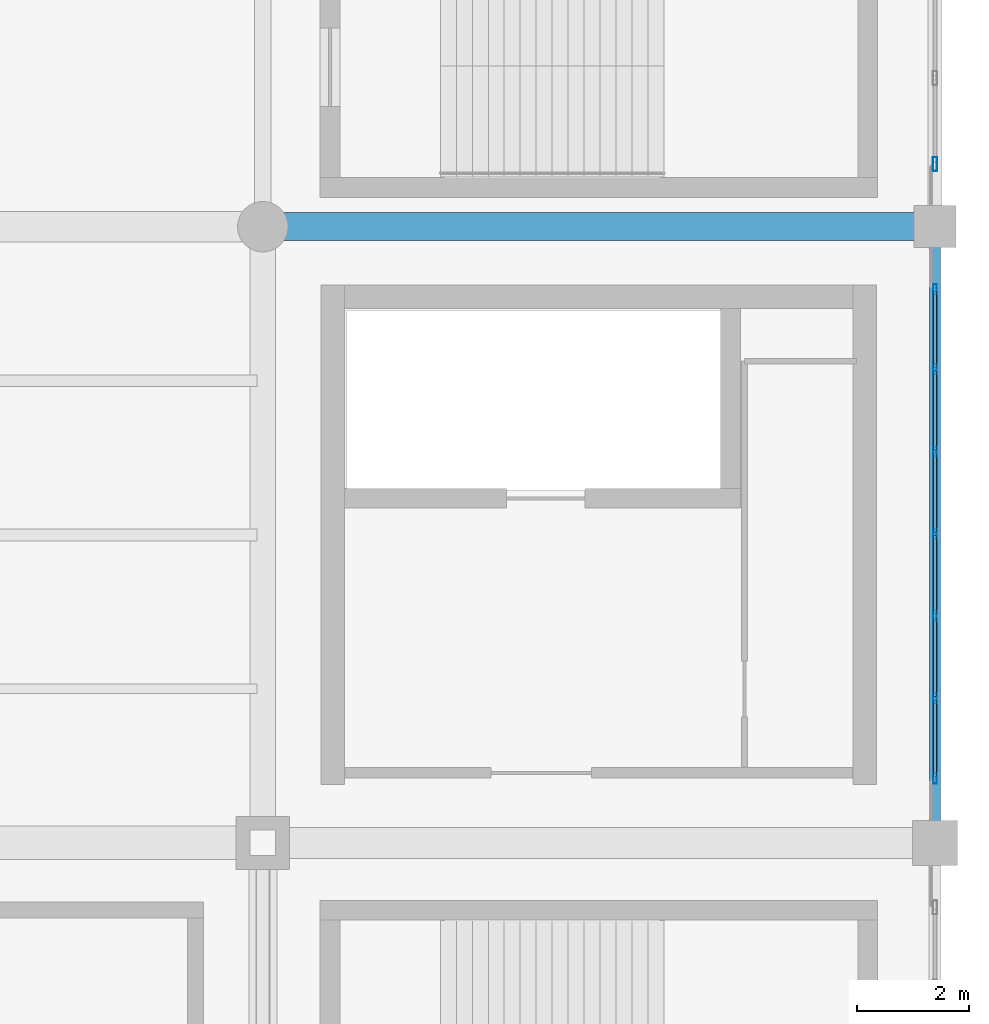
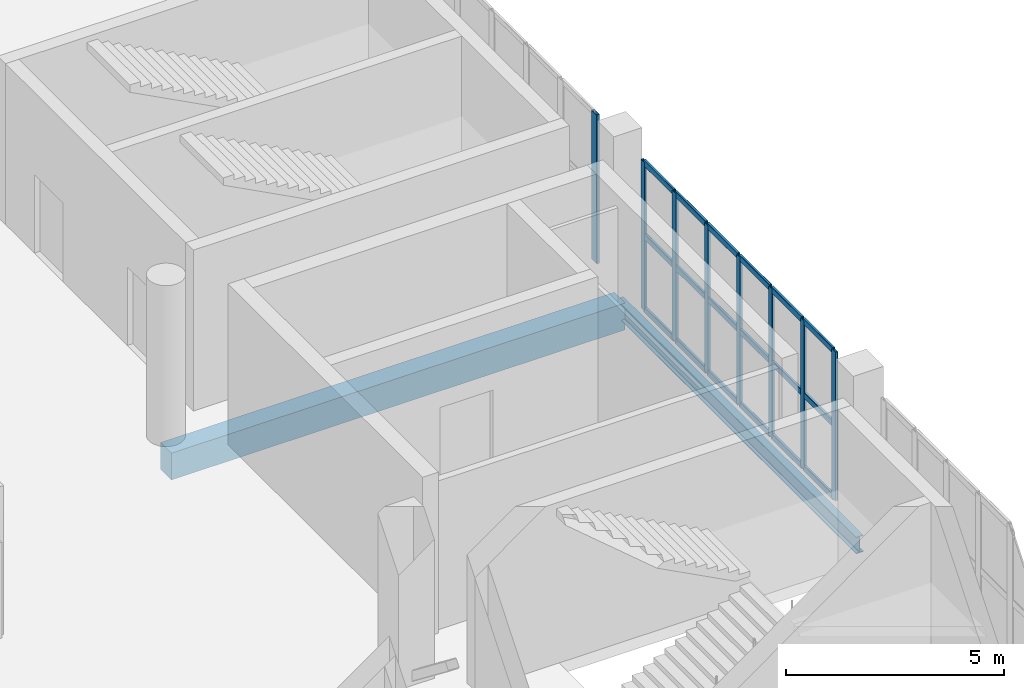
# One storey, part 37 of 90: 26 members, 2 beams, 2 elements without a shape of their own.
"""IFC4 building model written with IfcOpenShell, lengths in metres."""

import ifcopenshell
import ifcopenshell.guid

model = None  # the IFC model being written
_history = None  # IfcOwnerHistory: only IFC2X3 demands one
_inside = {}  # id of a spatial element -> (the spatial element, [elements in it])
_under = {}  # id of a project, library or spatial element -> (it, [spatial elements below it])
_declared = {}  # id of a project -> (the project, [libraries it declares])
_typed = {}  # id of a type object -> (the type object, [elements of that type])
_made_of = {}  # id of a material, layer set ... -> (it, [elements and type objects made of it])


def new_model(schema):
    """Start an empty IFC model of exactly this schema.

    Asked for "IFC4X3", IfcOpenShell would pick the latest addendum, in which some entities
    have other attributes; the version numbers below select the first issue.
    IFC2X3 requires an IfcOwnerHistory on every rooted entity: one is made here for all.
    """
    global model, _history
    if schema == "IFC4X3":
        model = ifcopenshell.file(schema_version=(4, 3, 0, 0))
    else:
        model = ifcopenshell.file(schema=schema)
    _inside.clear()
    _under.clear()
    _declared.clear()
    _typed.clear()
    _made_of.clear()
    _history = None
    if model.schema == "IFC2X3":
        org = make("IfcOrganization", Name="unknown")
        user = make(
            "IfcPersonAndOrganization",
            ThePerson=make("IfcPerson", FamilyName="unknown"),
            TheOrganization=org,
        )
        app = make(
            "IfcApplication",
            ApplicationDeveloper=org,
            Version="unknown",
            ApplicationFullName="unknown",
            ApplicationIdentifier="unknown",
        )
        _history = make(
            "IfcOwnerHistory",
            OwningUser=user,
            OwningApplication=app,
            ChangeAction="ADDED",
            CreationDate=0,
        )
    return model


def make(cls, **values):
    """One entity of the class cls with the attributes given. An attribute that is None is left unset."""
    return model.create_entity(
        cls, **{name: value for name, value in values.items() if value is not None}
    )


def rooted(cls, **values):
    """An entity with a GlobalId (a new one), such as an element, a storey or a relation."""
    return make(cls, GlobalId=ifcopenshell.guid.new(), OwnerHistory=_history, **values)


def si_unit(unit_type, name, prefix=None):
    """IfcSIUnit, for example si_unit("LENGTHUNIT", "METRE", prefix="MILLI")."""
    return make("IfcSIUnit", UnitType=unit_type, Prefix=prefix, Name=name)


def assignment(units):
    """IfcUnitAssignment: the units of a project."""
    return None if units is None else make("IfcUnitAssignment", Units=units)


def point(xyz):
    """IfcCartesianPoint."""
    return None if xyz is None else make("IfcCartesianPoint", Coordinates=xyz)


def direction(xyz):
    """IfcDirection."""
    return None if xyz is None else make("IfcDirection", DirectionRatios=xyz)


def frame(location, z_axis=None, x_axis=None):
    """IfcAxis2Placement3D, a coordinate frame: its origin and axes. An axis left out is left unset."""
    return make(
        "IfcAxis2Placement3D",
        Location=point(location),
        Axis=direction(z_axis),
        RefDirection=direction(x_axis),
    )


def frame_2d(location, x_axis=None):
    """IfcAxis2Placement2D, a coordinate frame in the plane: its origin and x axis."""
    return make(
        "IfcAxis2Placement2D", Location=point(location), RefDirection=direction(x_axis)
    )


def origin():
    """The frame at (0, 0, 0) with its axes left unset."""
    return frame((0.0, 0.0, 0.0))


def origin_2d():
    """The frame at (0, 0) in the plane with its x axis left unset."""
    return frame_2d((0.0, 0.0))


def place(relative_to, where):
    """IfcLocalPlacement: puts the frame where relative to a parent placement (None: the world)."""
    return make(
        "IfcLocalPlacement", PlacementRelTo=relative_to, RelativePlacement=where
    )


def context(
    kind, dimensions, precision=None, world=None, true_north=None, identifier=None
):
    """IfcGeometricRepresentationContext, for example the 3D "Model" context."""
    return make(
        "IfcGeometricRepresentationContext",
        ContextIdentifier=identifier,
        ContextType=kind,
        CoordinateSpaceDimension=dimensions,
        Precision=precision,
        WorldCoordinateSystem=world,
        TrueNorth=true_north,
    )


def subcontext(parent, identifier, kind, view, scale=None):
    """IfcGeometricRepresentationSubContext, for example "Body" below "Model"."""
    return make(
        "IfcGeometricRepresentationSubContext",
        ContextIdentifier=identifier,
        ContextType=kind,
        ParentContext=parent,
        TargetScale=scale,
        TargetView=view,
    )


def project(units=None, contexts=None):
    """IfcProject with its units and contexts."""
    return rooted(
        "IfcProject",
        Name="project",
        RepresentationContexts=contexts,
        UnitsInContext=assignment(units),
    )


def spatial(cls, under=None, at=None, **own):
    """A site, building, storey or space (cls), placed at a placement, below another one or the project."""
    s = rooted(cls, ObjectPlacement=at, **own)
    if under is not None:
        _under.setdefault(under.id(), (under, []))[1].append(s)
    return s


def profile(cls, at=None, kind="AREA", **sizes):
    """A parametric profile (cls). Its sizes go by their IFC names, for example OverallWidth=200.0."""
    return make(cls, ProfileType=kind, Position=at, **sizes)


def rectangle(**sizes):
    """IfcRectangleProfileDef."""
    return profile("IfcRectangleProfileDef", **sizes)


def hollow_rectangle(**sizes):
    """IfcRectangleHollowProfileDef."""
    return profile("IfcRectangleHollowProfileDef", **sizes)


def i_section(**sizes):
    """IfcIShapeProfileDef."""
    return profile("IfcIShapeProfileDef", **sizes)


def extrude(swept, where, along, depth):
    """IfcExtrudedAreaSolid: the profile swept, set in the frame where, extruded along a direction by depth."""
    return make(
        "IfcExtrudedAreaSolid",
        SweptArea=swept,
        Position=where,
        ExtrudedDirection=direction(along),
        Depth=depth,
    )


def shape(context_of_items, identifier, shape_type, items):
    """IfcShapeRepresentation: the items that make up one representation, for example the "Body"."""
    return make(
        "IfcShapeRepresentation",
        ContextOfItems=context_of_items,
        RepresentationIdentifier=identifier,
        RepresentationType=shape_type,
        Items=items,
    )


def material(Name=None, Category=None):
    """IfcMaterial."""
    return make("IfcMaterial", Name=Name, Category=Category)


def layer(
    of_material, thickness, ventilated=None, Name=None, Category=None, Priority=None
):
    """IfcMaterialLayer: one layer of a wall or slab, of a material (None: an air gap)."""
    return make(
        "IfcMaterialLayer",
        Material=of_material,
        LayerThickness=thickness,
        IsVentilated=ventilated,
        Name=Name,
        Category=Category,
        Priority=Priority,
    )


def layer_set(layers, Name=None):
    """IfcMaterialLayerSet."""
    return make("IfcMaterialLayerSet", MaterialLayers=layers, LayerSetName=Name)


def material_profile(
    of_material, cross_section, Name=None, Category=None, Priority=None
):
    """IfcMaterialProfile: a cross section and its material."""
    return make(
        "IfcMaterialProfile",
        Name=Name,
        Material=of_material,
        Profile=cross_section,
        Priority=Priority,
        Category=Category,
    )


def profile_set(profiles, Name=None, composite=None):
    """IfcMaterialProfileSet."""
    return make(
        "IfcMaterialProfileSet",
        Name=Name,
        MaterialProfiles=profiles,
        CompositeProfile=composite,
    )


def made_of(thing, what):
    """Note that an element or type object is made of a material, layer set ...; save() writes the relation."""
    if what is not None:
        _made_of.setdefault(what.id(), (what, []))[1].append(thing)
    return thing


def type_object(cls, material=None, **own):
    """A type object (cls), such as IfcWallType, which elements share."""
    return made_of(rooted(cls, **own), material)


def element(
    cls,
    number,
    at=None,
    inside=None,
    cuts=None,
    type_object=None,
    material=None,
    context=None,
    identifier="Body",
    shape_type=None,
    held_by="IfcProductDefinitionShape",
    body=None,
    shapes=None,
    **own,
):
    """One element of the class cls, such as IfcWall. Its Tag is "e" and its number.

    at: its placement. inside: the storey or other place that contains it. cuts: it is an
    opening in that element (IfcRelVoidsElement). A single representation is given by context,
    identifier, shape_type and body (its items); several are given by shapes. held_by: the class
    of the entity that holds the representations. save() writes the other relations.
    """
    e = rooted(cls, Tag="e%d" % number, ObjectPlacement=at, **own)
    if body is not None:
        shapes = [shape(context, identifier, shape_type, body)]
    if shapes is not None:
        e.Representation = make(held_by, Representations=shapes)
    if inside is not None:
        _inside.setdefault(inside.id(), (inside, []))[1].append(e)
    if cuts is not None:
        rooted(
            "IfcRelVoidsElement", RelatingBuildingElement=cuts, RelatedOpeningElement=e
        )
    if type_object is not None:
        _typed.setdefault(type_object.id(), (type_object, []))[1].append(e)
    return made_of(e, material)


def aggregate(whole, parts):
    """IfcRelAggregates: a whole, such as a stair, and the parts it consists of."""
    return rooted("IfcRelAggregates", RelatingObject=whole, RelatedObjects=parts)


def save(model, path):
    """Write the relations noted so far, then the file.

    IfcRelAggregates (storeys below a building ...), IfcRelContainedInSpatialStructure (elements
    in a storey), IfcRelDefinesByType, IfcRelAssociatesMaterial and IfcRelDeclares: one each for
    every whole, place, type object, material and project.
    """
    for whole, parts in _under.values():
        aggregate(whole, parts)
    for where, things in _inside.values():
        rooted(
            "IfcRelContainedInSpatialStructure",
            RelatedElements=things,
            RelatingStructure=where,
        )
    for kind, things in _typed.values():
        rooted("IfcRelDefinesByType", RelatedObjects=things, RelatingType=kind)
    for what, things in _made_of.values():
        rooted("IfcRelAssociatesMaterial", RelatedObjects=things, RelatingMaterial=what)
    for by, libraries in _declared.values():
        rooted("IfcRelDeclares", RelatingContext=by, RelatedDefinitions=libraries)
    model.write(path)


model = new_model("IFC4")

# Units and contexts
model_context = context("Model", 3, precision=1e-05, world=origin(), true_north=direction((0.0, 1.0)))
body_context = subcontext(model_context, "Body", "Model", "MODEL_VIEW")
ifc_project = project(units=[si_unit("LENGTHUNIT", "METRE"), si_unit("AREAUNIT", "SQUARE_METRE"), si_unit("VOLUMEUNIT", "CUBIC_METRE"), si_unit("PLANEANGLEUNIT", "RADIAN"), si_unit("MASSUNIT", "GRAM", prefix="KILO")], contexts=[model_context])

# Site, building, storey
site_placement = place(None, origin())
site = spatial("IfcSite", under=ifc_project, at=site_placement, CompositionType="ELEMENT")
building_placement = place(site_placement, origin())
building = spatial("IfcBuilding", under=site, at=building_placement, Name="Brinegate Civic Arena", CompositionType="ELEMENT")
storey_placement = place(building_placement, frame((0.0, 0.0, 14.699951171875)))
storey = spatial("IfcBuildingStorey", under=building, at=storey_placement, Name="L03", CompositionType="ELEMENT", Elevation=14.699951171875)

# Curtain wall, members
ifc_material_1 = material(Name="Marine grade aluminium", Category="aluminium")
ifc_layer = layer(ifc_material_1, 0.199951171875, Name="Marine grade aluminium")
ifc_layer_set = layer_set([ifc_layer], Name="Marine grade aluminium")
curtain_wall_type = type_object("IfcCurtainWallType", Name="CW-BOWL-GLAZED-01", PredefinedType="USERDEFINED", material=ifc_layer_set)
curtain_wall_1_placement = place(storey_placement, origin())
curtain_wall_1 = element("IfcCurtainWall", 1, at=curtain_wall_1_placement, inside=storey, type_object=curtain_wall_type, Name="Curtain Wall CWA-108", ObjectType="GLAZED CURTAIN WALL", PredefinedType="USERDEFINED")
ifc_material_profile_1 = material_profile(ifc_material_1, hollow_rectangle(XDim=0.06494140625, YDim=0.179931640625, WallThickness=0.0048828125, InnerFilletRadius=0.00390625, OuterFilletRadius=0.008056640625, at=origin_2d()), Name="MUL65X180")
ifc_profile_set_1 = profile_set([ifc_material_profile_1], Name="Marine grade aluminium")
member_type_1 = type_object("IfcMemberType", Name="CW-MULLION-65X180", PredefinedType="MULLION", material=ifc_profile_set_1)
member_1_placement = place(storey_placement, frame((168.0, 32.1484375, 0.0), z_axis=(0.0, 0.0, 1.0), x_axis=(-1.0, 0.0, 0.0)))
member_1 = element("IfcMember", 2, at=member_1_placement, type_object=member_type_1, Name="CWA-108 mullion 1", PredefinedType="MULLION", context=body_context, shape_type="SweptSolid", body=[
    extrude(hollow_rectangle(XDim=0.06494140625, YDim=0.179931640625, WallThickness=0.0048828125, InnerFilletRadius=0.00390625, OuterFilletRadius=0.008056640625, at=origin_2d()), origin(), (0.0, 0.0, 1.0), 4.16015625),
])
member_2_placement = place(storey_placement, frame((168.0, 33.583251953125, 0.0), z_axis=(0.0, 0.0, 1.0), x_axis=(-1.0, 0.0, 0.0)))
member_2 = element("IfcMember", 3, at=member_2_placement, type_object=member_type_1, Name="CWA-108 mullion 2", PredefinedType="MULLION", context=body_context, shape_type="SweptSolid", body=[
    extrude(hollow_rectangle(XDim=0.06494140625, YDim=0.179931640625, WallThickness=0.0048828125, InnerFilletRadius=0.00390625, OuterFilletRadius=0.008056640625, at=origin_2d()), origin(), (0.0, 0.0, 1.0), 4.16015625),
])
member_3_placement = place(storey_placement, frame((168.0, 35.05078125, 0.0), z_axis=(0.0, 0.0, 1.0), x_axis=(-1.0, 0.0, 0.0)))
member_3 = element("IfcMember", 4, at=member_3_placement, type_object=member_type_1, Name="CWA-108 mullion 3", PredefinedType="MULLION", context=body_context, shape_type="SweptSolid", body=[
    extrude(hollow_rectangle(XDim=0.06494140625, YDim=0.179931640625, WallThickness=0.0048828125, InnerFilletRadius=0.00390625, OuterFilletRadius=0.008056640625, at=origin_2d()), origin(), (0.0, 0.0, 1.0), 4.16015625),
])
member_4_placement = place(storey_placement, frame((168.0, 36.51806640625, 0.0), z_axis=(0.0, 0.0, 1.0), x_axis=(-1.0, 0.0, 0.0)))
member_4 = element("IfcMember", 5, at=member_4_placement, type_object=member_type_1, Name="CWA-108 mullion 4", PredefinedType="MULLION", context=body_context, shape_type="SweptSolid", body=[
    extrude(hollow_rectangle(XDim=0.06494140625, YDim=0.179931640625, WallThickness=0.0048828125, InnerFilletRadius=0.00390625, OuterFilletRadius=0.008056640625, at=origin_2d()), origin(), (0.0, 0.0, 1.0), 4.16015625),
])
member_5_placement = place(storey_placement, frame((168.0, 37.9853515625, 0.0), z_axis=(0.0, 0.0, 1.0), x_axis=(-1.0, 0.0, 0.0)))
member_5 = element("IfcMember", 6, at=member_5_placement, type_object=member_type_1, Name="CWA-108 mullion 5", PredefinedType="MULLION", context=body_context, shape_type="SweptSolid", body=[
    extrude(hollow_rectangle(XDim=0.06494140625, YDim=0.179931640625, WallThickness=0.0048828125, InnerFilletRadius=0.00390625, OuterFilletRadius=0.008056640625, at=origin_2d()), origin(), (0.0, 0.0, 1.0), 4.16015625),
])
member_6_placement = place(storey_placement, frame((168.0, 39.45263671875, 0.0), z_axis=(0.0, 0.0, 1.0), x_axis=(-1.0, 0.0, 0.0)))
member_6 = element("IfcMember", 7, at=member_6_placement, type_object=member_type_1, Name="CWA-108 mullion 6", PredefinedType="MULLION", context=body_context, shape_type="SweptSolid", body=[
    extrude(hollow_rectangle(XDim=0.06494140625, YDim=0.179931640625, WallThickness=0.0048828125, InnerFilletRadius=0.00390625, OuterFilletRadius=0.008056640625, at=origin_2d()), origin(), (0.0, 0.0, 1.0), 4.16015625),
])
member_7_placement = place(storey_placement, frame((168.0, 40.887451171875, 0.0), z_axis=(0.0, 0.0, 1.0), x_axis=(-1.0, 0.0, 0.0)))
member_7 = element("IfcMember", 8, at=member_7_placement, type_object=member_type_1, Name="CWA-108 mullion 7", PredefinedType="MULLION", context=body_context, shape_type="SweptSolid", body=[
    extrude(hollow_rectangle(XDim=0.06494140625, YDim=0.179931640625, WallThickness=0.0048828125, InnerFilletRadius=0.00390625, OuterFilletRadius=0.008056640625, at=origin_2d()), origin(), (0.0, 0.0, 1.0), 4.16015625),
])

# Curtain wall, member
curtain_wall_2_placement = place(storey_placement, origin())
curtain_wall_2 = element("IfcCurtainWall", 9, at=curtain_wall_2_placement, inside=storey, type_object=curtain_wall_type, Name="Curtain Wall CWA-110", ObjectType="GLAZED CURTAIN WALL", PredefinedType="USERDEFINED")
ifc_material_profile_2 = material_profile(ifc_material_1, hollow_rectangle(XDim=0.074951171875, YDim=0.25, WallThickness=0.006103515625, InnerFilletRadius=0.00390625, OuterFilletRadius=0.008056640625, at=origin_2d()), Name="MUL75X250")
ifc_profile_set_2 = profile_set([ifc_material_profile_2], Name="Marine grade aluminium")
member_type_2 = type_object("IfcMemberType", Name="CW-MULLION-75X250", PredefinedType="MULLION", material=ifc_profile_set_2)
member_8_placement = place(storey_placement, frame((168.0, 43.117431640625, 0.0), z_axis=(0.0, 0.0, 1.0), x_axis=(-1.0, 0.0, 0.0)))
member_8 = element("IfcMember", 10, at=member_8_placement, type_object=member_type_2, Name="CWA-110 mullion 1", PredefinedType="MULLION", context=body_context, shape_type="SweptSolid", body=[
    extrude(hollow_rectangle(XDim=0.074951171875, YDim=0.25, WallThickness=0.006103515625, InnerFilletRadius=0.00390625, OuterFilletRadius=0.008056640625, at=origin_2d()), origin(), (0.0, 0.0, 1.0), 4.16015625),
])
aggregate(curtain_wall_2, [member_8])

# Member
ifc_material_profile_3 = material_profile(ifc_material_1, hollow_rectangle(XDim=0.06494140625, YDim=0.1650390625, WallThickness=0.0048828125, InnerFilletRadius=0.00390625, OuterFilletRadius=0.008056640625, at=origin_2d()), Name="TRN65X165")
ifc_profile_set_3 = profile_set([ifc_material_profile_3], Name="Marine grade aluminium")
member_type_3 = type_object("IfcMemberType", Name="CW-TRANSOM-65X165", PredefinedType="USERDEFINED", material=ifc_profile_set_3)
member_9_placement = place(storey_placement, frame((168.0, 32.180908203125, 0.032470703125), z_axis=(0.0, 1.0, 0.0), x_axis=(-1.0, 0.0, 0.0)))
member_9 = element("IfcMember", 11, at=member_9_placement, type_object=member_type_3, Name="CWA-108 transom 1.1", ObjectType="TRANSOM", PredefinedType="USERDEFINED", context=body_context, shape_type="SweptSolid", body=[
    extrude(hollow_rectangle(XDim=0.06494140625, YDim=0.1650390625, WallThickness=0.0048828125, InnerFilletRadius=0.00390625, OuterFilletRadius=0.008056640625, at=origin_2d()), origin(), (0.0, 0.0, 1.0), 1.369873046875),
])

member_10_placement = place(storey_placement, frame((168.0, 32.180908203125, 2.080078125), z_axis=(0.0, 1.0, 0.0), x_axis=(-1.0, 0.0, 0.0)))
member_10 = element("IfcMember", 12, at=member_10_placement, type_object=member_type_3, Name="CWA-108 transom 1.2", ObjectType="TRANSOM", PredefinedType="USERDEFINED", context=body_context, shape_type="SweptSolid", body=[
    extrude(hollow_rectangle(XDim=0.06494140625, YDim=0.1650390625, WallThickness=0.0048828125, InnerFilletRadius=0.00390625, OuterFilletRadius=0.008056640625, at=origin_2d()), origin(), (0.0, 0.0, 1.0), 1.369873046875),
])

member_11_placement = place(storey_placement, frame((168.0, 32.180908203125, 4.12744140625), z_axis=(0.0, 1.0, 0.0), x_axis=(-1.0, 0.0, 0.0)))
member_11 = element("IfcMember", 13, at=member_11_placement, type_object=member_type_3, Name="CWA-108 transom 1.3", ObjectType="TRANSOM", PredefinedType="USERDEFINED", context=body_context, shape_type="SweptSolid", body=[
    extrude(hollow_rectangle(XDim=0.06494140625, YDim=0.1650390625, WallThickness=0.0048828125, InnerFilletRadius=0.00390625, OuterFilletRadius=0.008056640625, at=origin_2d()), origin(), (0.0, 0.0, 1.0), 1.369873046875),
])

member_12_placement = place(storey_placement, frame((168.0, 33.61572265625, 0.032470703125), z_axis=(0.0, 1.0, 0.0), x_axis=(-1.0, 0.0, 0.0)))
member_12 = element("IfcMember", 14, at=member_12_placement, type_object=member_type_3, Name="CWA-108 transom 2.1", ObjectType="TRANSOM", PredefinedType="USERDEFINED", context=body_context, shape_type="SweptSolid", body=[
    extrude(hollow_rectangle(XDim=0.06494140625, YDim=0.1650390625, WallThickness=0.0048828125, InnerFilletRadius=0.00390625, OuterFilletRadius=0.008056640625, at=origin_2d()), origin(), (0.0, 0.0, 1.0), 1.40234375),
])

member_13_placement = place(storey_placement, frame((168.0, 33.61572265625, 2.080078125), z_axis=(0.0, 1.0, 0.0), x_axis=(-1.0, 0.0, 0.0)))
member_13 = element("IfcMember", 15, at=member_13_placement, type_object=member_type_3, Name="CWA-108 transom 2.2", ObjectType="TRANSOM", PredefinedType="USERDEFINED", context=body_context, shape_type="SweptSolid", body=[
    extrude(hollow_rectangle(XDim=0.06494140625, YDim=0.1650390625, WallThickness=0.0048828125, InnerFilletRadius=0.00390625, OuterFilletRadius=0.008056640625, at=origin_2d()), origin(), (0.0, 0.0, 1.0), 1.40234375),
])

member_14_placement = place(storey_placement, frame((168.0, 33.61572265625, 4.12744140625), z_axis=(0.0, 1.0, 0.0), x_axis=(-1.0, 0.0, 0.0)))
member_14 = element("IfcMember", 16, at=member_14_placement, type_object=member_type_3, Name="CWA-108 transom 2.3", ObjectType="TRANSOM", PredefinedType="USERDEFINED", context=body_context, shape_type="SweptSolid", body=[
    extrude(hollow_rectangle(XDim=0.06494140625, YDim=0.1650390625, WallThickness=0.0048828125, InnerFilletRadius=0.00390625, OuterFilletRadius=0.008056640625, at=origin_2d()), origin(), (0.0, 0.0, 1.0), 1.40234375),
])

member_15_placement = place(storey_placement, frame((168.0, 35.083251953125, 0.032470703125), z_axis=(0.0, 1.0, 0.0), x_axis=(-1.0, 0.0, 0.0)))
member_15 = element("IfcMember", 17, at=member_15_placement, type_object=member_type_3, Name="CWA-108 transom 3.1", ObjectType="TRANSOM", PredefinedType="USERDEFINED", context=body_context, shape_type="SweptSolid", body=[
    extrude(hollow_rectangle(XDim=0.06494140625, YDim=0.1650390625, WallThickness=0.0048828125, InnerFilletRadius=0.00390625, OuterFilletRadius=0.008056640625, at=origin_2d()), origin(), (0.0, 0.0, 1.0), 1.40234375),
])

member_16_placement = place(storey_placement, frame((168.0, 35.083251953125, 2.080078125), z_axis=(0.0, 1.0, 0.0), x_axis=(-1.0, 0.0, 0.0)))
member_16 = element("IfcMember", 18, at=member_16_placement, type_object=member_type_3, Name="CWA-108 transom 3.2", ObjectType="TRANSOM", PredefinedType="USERDEFINED", context=body_context, shape_type="SweptSolid", body=[
    extrude(hollow_rectangle(XDim=0.06494140625, YDim=0.1650390625, WallThickness=0.0048828125, InnerFilletRadius=0.00390625, OuterFilletRadius=0.008056640625, at=origin_2d()), origin(), (0.0, 0.0, 1.0), 1.40234375),
])

member_17_placement = place(storey_placement, frame((168.0, 35.083251953125, 4.12744140625), z_axis=(0.0, 1.0, 0.0), x_axis=(-1.0, 0.0, 0.0)))
member_17 = element("IfcMember", 19, at=member_17_placement, type_object=member_type_3, Name="CWA-108 transom 3.3", ObjectType="TRANSOM", PredefinedType="USERDEFINED", context=body_context, shape_type="SweptSolid", body=[
    extrude(hollow_rectangle(XDim=0.06494140625, YDim=0.1650390625, WallThickness=0.0048828125, InnerFilletRadius=0.00390625, OuterFilletRadius=0.008056640625, at=origin_2d()), origin(), (0.0, 0.0, 1.0), 1.40234375),
])

member_18_placement = place(storey_placement, frame((168.0, 36.550537109375, 0.032470703125), z_axis=(0.0, 1.0, 0.0), x_axis=(-1.0, 0.0, 0.0)))
member_18 = element("IfcMember", 20, at=member_18_placement, type_object=member_type_3, Name="CWA-108 transom 4.1", ObjectType="TRANSOM", PredefinedType="USERDEFINED", context=body_context, shape_type="SweptSolid", body=[
    extrude(hollow_rectangle(XDim=0.06494140625, YDim=0.1650390625, WallThickness=0.0048828125, InnerFilletRadius=0.00390625, OuterFilletRadius=0.008056640625, at=origin_2d()), origin(), (0.0, 0.0, 1.0), 1.40234375),
])

member_19_placement = place(storey_placement, frame((168.0, 36.550537109375, 2.080078125), z_axis=(0.0, 1.0, 0.0), x_axis=(-1.0, 0.0, 0.0)))
member_19 = element("IfcMember", 21, at=member_19_placement, type_object=member_type_3, Name="CWA-108 transom 4.2", ObjectType="TRANSOM", PredefinedType="USERDEFINED", context=body_context, shape_type="SweptSolid", body=[
    extrude(hollow_rectangle(XDim=0.06494140625, YDim=0.1650390625, WallThickness=0.0048828125, InnerFilletRadius=0.00390625, OuterFilletRadius=0.008056640625, at=origin_2d()), origin(), (0.0, 0.0, 1.0), 1.40234375),
])

member_20_placement = place(storey_placement, frame((168.0, 36.550537109375, 4.12744140625), z_axis=(0.0, 1.0, 0.0), x_axis=(-1.0, 0.0, 0.0)))
member_20 = element("IfcMember", 22, at=member_20_placement, type_object=member_type_3, Name="CWA-108 transom 4.3", ObjectType="TRANSOM", PredefinedType="USERDEFINED", context=body_context, shape_type="SweptSolid", body=[
    extrude(hollow_rectangle(XDim=0.06494140625, YDim=0.1650390625, WallThickness=0.0048828125, InnerFilletRadius=0.00390625, OuterFilletRadius=0.008056640625, at=origin_2d()), origin(), (0.0, 0.0, 1.0), 1.40234375),
])

member_21_placement = place(storey_placement, frame((168.0, 38.017822265625, 0.032470703125), z_axis=(0.0, 1.0, 0.0), x_axis=(-1.0, 0.0, 0.0)))
member_21 = element("IfcMember", 23, at=member_21_placement, type_object=member_type_3, Name="CWA-108 transom 5.1", ObjectType="TRANSOM", PredefinedType="USERDEFINED", context=body_context, shape_type="SweptSolid", body=[
    extrude(hollow_rectangle(XDim=0.06494140625, YDim=0.1650390625, WallThickness=0.0048828125, InnerFilletRadius=0.00390625, OuterFilletRadius=0.008056640625, at=origin_2d()), origin(), (0.0, 0.0, 1.0), 1.40234375),
])

member_22_placement = place(storey_placement, frame((168.0, 38.017822265625, 2.080078125), z_axis=(0.0, 1.0, 0.0), x_axis=(-1.0, 0.0, 0.0)))
member_22 = element("IfcMember", 24, at=member_22_placement, type_object=member_type_3, Name="CWA-108 transom 5.2", ObjectType="TRANSOM", PredefinedType="USERDEFINED", context=body_context, shape_type="SweptSolid", body=[
    extrude(hollow_rectangle(XDim=0.06494140625, YDim=0.1650390625, WallThickness=0.0048828125, InnerFilletRadius=0.00390625, OuterFilletRadius=0.008056640625, at=origin_2d()), origin(), (0.0, 0.0, 1.0), 1.40234375),
])

member_23_placement = place(storey_placement, frame((168.0, 38.017822265625, 4.12744140625), z_axis=(0.0, 1.0, 0.0), x_axis=(-1.0, 0.0, 0.0)))
member_23 = element("IfcMember", 25, at=member_23_placement, type_object=member_type_3, Name="CWA-108 transom 5.3", ObjectType="TRANSOM", PredefinedType="USERDEFINED", context=body_context, shape_type="SweptSolid", body=[
    extrude(hollow_rectangle(XDim=0.06494140625, YDim=0.1650390625, WallThickness=0.0048828125, InnerFilletRadius=0.00390625, OuterFilletRadius=0.008056640625, at=origin_2d()), origin(), (0.0, 0.0, 1.0), 1.40234375),
])

member_24_placement = place(storey_placement, frame((168.0, 39.485107421875, 0.032470703125), z_axis=(0.0, 1.0, 0.0), x_axis=(-1.0, 0.0, 0.0)))
member_24 = element("IfcMember", 26, at=member_24_placement, type_object=member_type_3, Name="CWA-108 transom 6.1", ObjectType="TRANSOM", PredefinedType="USERDEFINED", context=body_context, shape_type="SweptSolid", body=[
    extrude(hollow_rectangle(XDim=0.06494140625, YDim=0.1650390625, WallThickness=0.0048828125, InnerFilletRadius=0.00390625, OuterFilletRadius=0.008056640625, at=origin_2d()), origin(), (0.0, 0.0, 1.0), 1.369873046875),
])

member_25_placement = place(storey_placement, frame((168.0, 39.485107421875, 2.080078125), z_axis=(0.0, 1.0, 0.0), x_axis=(-1.0, 0.0, 0.0)))
member_25 = element("IfcMember", 27, at=member_25_placement, type_object=member_type_3, Name="CWA-108 transom 6.2", ObjectType="TRANSOM", PredefinedType="USERDEFINED", context=body_context, shape_type="SweptSolid", body=[
    extrude(hollow_rectangle(XDim=0.06494140625, YDim=0.1650390625, WallThickness=0.0048828125, InnerFilletRadius=0.00390625, OuterFilletRadius=0.008056640625, at=origin_2d()), origin(), (0.0, 0.0, 1.0), 1.369873046875),
])

member_26_placement = place(storey_placement, frame((168.0, 39.485107421875, 4.12744140625), z_axis=(0.0, 1.0, 0.0), x_axis=(-1.0, 0.0, 0.0)))
member_26 = element("IfcMember", 28, at=member_26_placement, type_object=member_type_3, Name="CWA-108 transom 6.3", ObjectType="TRANSOM", PredefinedType="USERDEFINED", context=body_context, shape_type="SweptSolid", body=[
    extrude(hollow_rectangle(XDim=0.06494140625, YDim=0.1650390625, WallThickness=0.0048828125, InnerFilletRadius=0.00390625, OuterFilletRadius=0.008056640625, at=origin_2d()), origin(), (0.0, 0.0, 1.0), 1.369873046875),
])

aggregate(curtain_wall_1, [member_1, member_2, member_3, member_4, member_5, member_6, member_7, member_9, member_10, member_11, member_12, member_13, member_14, member_15, member_16, member_17, member_18, member_19, member_20, member_21, member_22, member_23, member_24, member_25, member_26])

# Beams
ifc_material_2 = material(Name="Concrete C50/60", Category="concrete")
ifc_material_profile_4 = material_profile(ifc_material_2, rectangle(XDim=0.5, YDim=0.75, at=origin_2d()), Name="RCB500X750")
ifc_profile_set_4 = profile_set([ifc_material_profile_4], Name="Concrete C50/60")
beam_type_1 = type_object("IfcBeamType", Name="RCG-500X750", PredefinedType="BEAM", material=ifc_profile_set_4)
beam_1_placement = place(storey_placement, frame((156.0, 42.0, -0.724853515625), z_axis=(1.0, 0.0, 0.0), x_axis=(0.0, 1.0, 0.0)))
element("IfcBeam", 29, at=beam_1_placement, inside=storey, type_object=beam_type_1, Name="Floor Girder BM-L03-GX-13-04", PredefinedType="BEAM", context=body_context, shape_type="SweptSolid", body=[
    extrude(rectangle(XDim=0.5, YDim=0.75, at=origin_2d()), origin(), (0.0, 0.0, 1.0), 12.0),
])
ifc_material_3 = material(Name="Steel S355", Category="steel")
ifc_material_profile_5 = material_profile(ifc_material_3, i_section(OverallWidth=0.193115234375, OverallDepth=0.466064453125, WebThickness=0.010986328125, FlangeThickness=0.01904296875, FilletRadius=0.014892578125, at=origin_2d()), Name="W460X97")
ifc_profile_set_5 = profile_set([ifc_material_profile_5], Name="Steel S355")
beam_type_2 = type_object("IfcBeamType", Name="SPANDREL-W460X97", PredefinedType="SPANDREL", material=ifc_profile_set_5)
beam_2_placement = place(storey_placement, frame((168.0, 31.0, -0.5830078125), z_axis=(0.0, 1.0, 0.0), x_axis=(-1.0, 0.0, 0.0)))
element("IfcBeam", 30, at=beam_2_placement, inside=storey, type_object=beam_type_2, Name="Floor Girder BM-L03-GY-14-03", PredefinedType="SPANDREL", context=body_context, shape_type="SweptSolid", body=[
    extrude(i_section(OverallWidth=0.193115234375, OverallDepth=0.466064453125, WebThickness=0.010986328125, FlangeThickness=0.01904296875, FilletRadius=0.014892578125, at=origin_2d()), origin(), (0.0, 0.0, 1.0), 11.0),
])

save(model, "model.ifc")
